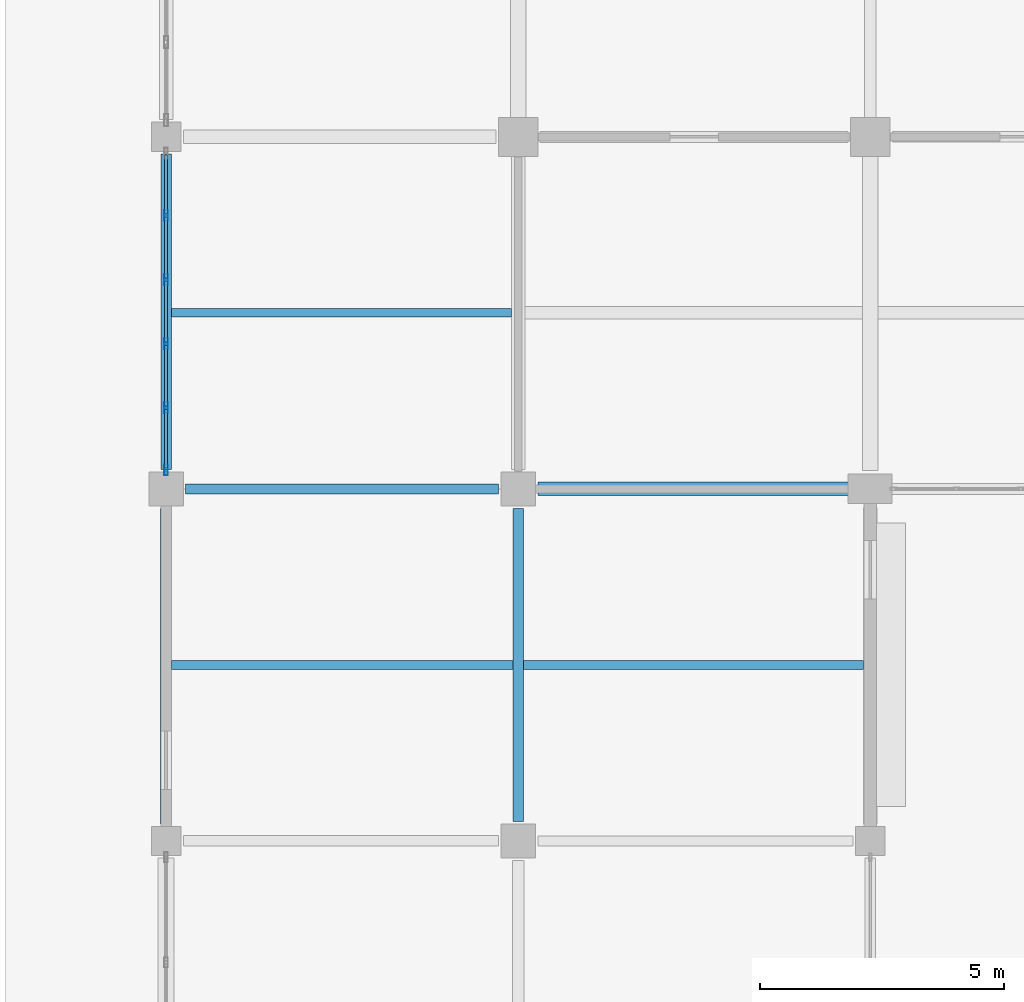
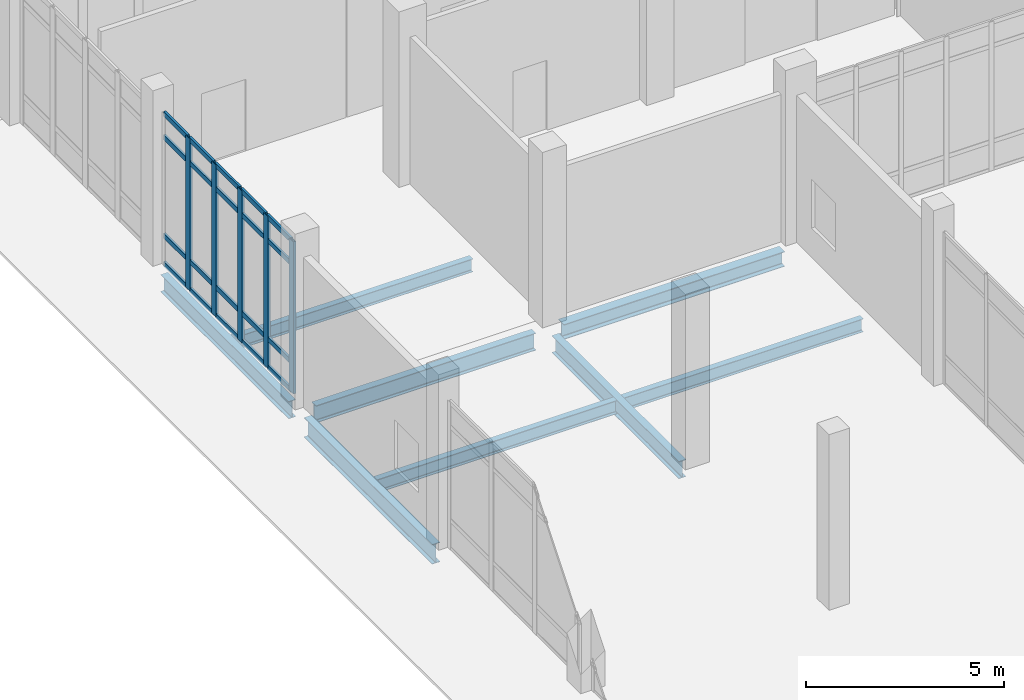
# One storey, part 82 of 229: 25 members, 8 beams, 1 element without a shape of its own.
"""IFC4 building model written with IfcOpenShell, lengths in metres."""

from ifc_helpers import new_model, si_unit, direction, frame, origin, origin_2d, place, context, subcontext, project, spatial, hollow_rectangle, i_section, extrude, material, layer, layer_set, material_profile, profile_set, type_object, element, aggregate, save


model = new_model("IFC4")

# Units and contexts
model_context = context("Model", 3, precision=1e-05, world=origin(), true_north=direction((0.0, 1.0)))
body_context = subcontext(model_context, "Body", "Model", "MODEL_VIEW")
ifc_project = project(units=[si_unit("LENGTHUNIT", "METRE"), si_unit("AREAUNIT", "SQUARE_METRE"), si_unit("VOLUMEUNIT", "CUBIC_METRE"), si_unit("PLANEANGLEUNIT", "RADIAN"), si_unit("MASSUNIT", "GRAM", prefix="KILO")], contexts=[model_context])

# Site, building, storey
site_placement = place(None, origin())
site = spatial("IfcSite", under=ifc_project, at=site_placement, CompositionType="ELEMENT")
building_placement = place(site_placement, origin())
building = spatial("IfcBuilding", under=site, at=building_placement, Name="Calvrana Isthmian Art Gallery", CompositionType="ELEMENT")
storey_placement = place(building_placement, origin())
storey = spatial("IfcBuildingStorey", under=building, at=storey_placement, Name="L00", CompositionType="ELEMENT", Elevation=0.0)

# Beams
ifc_material_1 = material(Name="Steel ASTM A992 Gr 50", Category="steel")
ifc_material_profile_1 = material_profile(ifc_material_1, i_section(OverallWidth=0.279052734375, OverallDepth=0.4619140625, WebThickness=0.0107421875, FlangeThickness=0.017333984375, FilletRadius=0.02001953125, at=origin_2d()), Name="W18X76")
ifc_profile_set_1 = profile_set([ifc_material_profile_1], Name="Steel ASTM A992 Gr 50")
beam_type_1 = type_object("IfcBeamType", Name="BM-G-W18X76", PredefinedType="BEAM", material=ifc_profile_set_1)
beam_1_placement = place(storey_placement, frame((7.60009765625, 98.39990234375, -0.51611328125), z_axis=(1.0, 0.0, 0.0), x_axis=(0.0, 1.0, 0.0)))
element("IfcBeam", 1, at=beam_1_placement, inside=storey, type_object=beam_type_1, Name="Girder X L00 02-03/N", PredefinedType="BEAM", context=body_context, shape_type="SweptSolid", body=[
    extrude(i_section(OverallWidth=0.279052734375, OverallDepth=0.4619140625, WebThickness=0.0107421875, FlangeThickness=0.017333984375, FilletRadius=0.02001953125, at=origin_2d()), origin(), (0.0, 0.0, 1.0), 6.4248046875),
])
ifc_material_profile_2 = material_profile(ifc_material_1, i_section(OverallWidth=0.208984375, OverallDepth=0.532958984375, WebThickness=0.01025390625, FlangeThickness=0.015625, FilletRadius=0.02099609375, at=origin_2d()), Name="W21X62")
ifc_profile_set_2 = profile_set([ifc_material_profile_2], Name="Steel ASTM A992 Gr 50")
beam_type_2 = type_object("IfcBeamType", Name="BM-G-W21X62", PredefinedType="BEAM", material=ifc_profile_set_2)
beam_2_placement = place(storey_placement, frame((0.39990234375, 98.39990234375, -0.551513671875), z_axis=(1.0, 0.0, 0.0), x_axis=(0.0, 1.0, 0.0)))
element("IfcBeam", 2, at=beam_2_placement, inside=storey, type_object=beam_type_2, Name="Girder X L00 01-02/N", PredefinedType="BEAM", context=body_context, shape_type="SweptSolid", body=[
    extrude(i_section(OverallWidth=0.208984375, OverallDepth=0.532958984375, WebThickness=0.01025390625, FlangeThickness=0.015625, FilletRadius=0.02099609375, at=origin_2d()), origin(), (0.0, 0.0, 1.0), 6.400146484375),
])
beam_3_placement = place(storey_placement, frame((0.0, 98.800048828125, -0.551513671875), z_axis=(0.0, 1.0, 0.0), x_axis=(-1.0, 0.0, 0.0)))
element("IfcBeam", 3, at=beam_3_placement, inside=storey, type_object=beam_type_2, Name="Girder Y L00 01/N-O", PredefinedType="BEAM", context=body_context, shape_type="SweptSolid", body=[
    extrude(i_section(OverallWidth=0.208984375, OverallDepth=0.532958984375, WebThickness=0.01025390625, FlangeThickness=0.015625, FilletRadius=0.02099609375, at=origin_2d()), origin(), (0.0, 0.0, 1.0), 6.449951171875),
])
beam_4_placement = place(storey_placement, frame((7.199951171875, 91.60009765625, -0.551513671875), z_axis=(0.0, 1.0, 0.0), x_axis=(-1.0, 0.0, 0.0)))
element("IfcBeam", 4, at=beam_4_placement, inside=storey, type_object=beam_type_2, Name="Girder Y L00 02/M-N", PredefinedType="BEAM", context=body_context, shape_type="SweptSolid", body=[
    extrude(i_section(OverallWidth=0.208984375, OverallDepth=0.532958984375, WebThickness=0.01025390625, FlangeThickness=0.015625, FilletRadius=0.02099609375, at=origin_2d()), origin(), (0.0, 0.0, 1.0), 6.39990234375),
])
ifc_material_profile_3 = material_profile(ifc_material_1, i_section(OverallWidth=0.22802734375, OverallDepth=0.60693359375, WebThickness=0.01123046875, FlangeThickness=0.017333984375, FilletRadius=0.02197265625, at=origin_2d()), Name="W24X76")
ifc_profile_set_3 = profile_set([ifc_material_profile_3], Name="Steel ASTM A992 Gr 50")
beam_type_3 = type_object("IfcBeamType", Name="BM-G-W24X76", PredefinedType="BEAM", material=ifc_profile_set_3)
beam_5_placement = place(storey_placement, frame((0.0, 91.550048828125, -0.58837890625), z_axis=(0.0, 1.0, 0.0), x_axis=(-1.0, 0.0, 0.0)))
element("IfcBeam", 5, at=beam_5_placement, inside=storey, type_object=beam_type_3, Name="Girder Y L00 01/M-N", PredefinedType="BEAM", context=body_context, shape_type="SweptSolid", body=[
    extrude(i_section(OverallWidth=0.22802734375, OverallDepth=0.60693359375, WebThickness=0.01123046875, FlangeThickness=0.017333984375, FilletRadius=0.02197265625, at=origin_2d()), origin(), (0.0, 0.0, 1.0), 6.449951171875),
])
ifc_material_profile_4 = material_profile(ifc_material_1, i_section(OverallWidth=0.177978515625, OverallDepth=0.404052734375, WebThickness=0.007568359375, FlangeThickness=0.010986328125, FilletRadius=0.01806640625, at=origin_2d()), Name="W16X36")
ifc_profile_set_4 = profile_set([ifc_material_profile_4], Name="Steel ASTM A992 Gr 50")
beam_type_4 = type_object("IfcBeamType", Name="BM-J-W16X36", PredefinedType="JOIST", material=ifc_profile_set_4)
for number, where, z_axis, x_axis, name in (
    (6, (0.1044921875, 102.0, -0.487060546875), (1.0, 0.0, 0.0), (0.0, 1.0, 0.0), "Composite joist L00 bay 00-13"),
    (7, (7.304443359375, 94.800048828125, -0.487060546875), (1.0, 0.0, 0.0), (0.0, 1.0, 0.0), "Composite joist L00 bay 01-12"),
):
    element("IfcBeam", number, at=place(storey_placement, frame(where, z_axis=z_axis, x_axis=x_axis)), inside=storey, type_object=beam_type_4, Name=name, PredefinedType="JOIST", context=body_context, shape_type="SweptSolid", body=[
        extrude(i_section(OverallWidth=0.177978515625, OverallDepth=0.404052734375, WebThickness=0.007568359375, FlangeThickness=0.010986328125, FilletRadius=0.01806640625, at=origin_2d()), origin(), (0.0, 0.0, 1.0), 6.9560546875),
    ])
ifc_material_profile_5 = material_profile(ifc_material_1, i_section(OverallWidth=0.179931640625, OverallDepth=0.4140625, WebThickness=0.009765625, FlangeThickness=0.01611328125, FilletRadius=0.01806640625, at=origin_2d()), Name="W16X50")
ifc_profile_set_5 = profile_set([ifc_material_profile_5], Name="Steel ASTM A992 Gr 50")
beam_type_5 = type_object("IfcBeamType", Name="BM-J-W16X50", PredefinedType="JOIST", material=ifc_profile_set_5)
beam_6_placement = place(storey_placement, frame((0.114013671875, 94.800048828125, -0.491943359375), z_axis=(1.0, 0.0, 0.0), x_axis=(0.0, 1.0, 0.0)))
element("IfcBeam", 8, at=beam_6_placement, inside=storey, type_object=beam_type_5, Name="Composite joist L00 bay 00-12", PredefinedType="JOIST", context=body_context, shape_type="SweptSolid", body=[
    extrude(i_section(OverallWidth=0.179931640625, OverallDepth=0.4140625, WebThickness=0.009765625, FlangeThickness=0.01611328125, FilletRadius=0.01806640625, at=origin_2d()), origin(), (0.0, 0.0, 1.0), 6.9814453125),
])

# Curtain wall, members
ifc_material_2 = material(Name="Anodized bronze aluminium 6063-T6", Category="aluminium")
ifc_layer = layer(ifc_material_2, 0.179931640625, Name="Anodized bronze aluminium 6063-T6")
ifc_layer_set = layer_set([ifc_layer], Name="Anodized bronze aluminium 6063-T6")
curtain_wall_type = type_object("IfcCurtainWallType", Name="CW-UNIT-065X47", PredefinedType="USERDEFINED", material=ifc_layer_set)
curtain_wall_placement = place(storey_placement, origin())
curtain_wall = element("IfcCurtainWall", 9, at=curtain_wall_placement, inside=storey, type_object=curtain_wall_type, Name="Curtain wall CW-052", ObjectType="UNITISED CURTAIN WALL", PredefinedType="USERDEFINED")
ifc_material_profile_6 = material_profile(ifc_material_2, hollow_rectangle(XDim=0.074951171875, YDim=0.219970703125, WallThickness=0.0048828125, at=origin_2d()), Name="CWM75X220")
ifc_profile_set_6 = profile_set([ifc_material_profile_6], Name="Anodized bronze aluminium 6063-T6")
member_type_1 = type_object("IfcMemberType", Name="CWM-CWM75X220", PredefinedType="MULLION", material=ifc_profile_set_6)
member_1_placement = place(storey_placement, frame((0.0, 98.78759765625, 0.0), z_axis=(0.0, 0.0, 1.0), x_axis=(-1.0, 0.0, 0.0)))
member_1 = element("IfcMember", 10, at=member_1_placement, type_object=member_type_1, Name="CW-052 mullion 1", PredefinedType="MULLION", context=body_context, shape_type="SweptSolid", body=[
    extrude(hollow_rectangle(XDim=0.074951171875, YDim=0.219970703125, WallThickness=0.0048828125, at=origin_2d()), origin(), (0.0, 0.0, 1.0), 4.677978515625),
])
member_2_placement = place(storey_placement, frame((0.0, 100.06005859375, 0.0), z_axis=(0.0, 0.0, 1.0), x_axis=(-1.0, 0.0, 0.0)))
member_2 = element("IfcMember", 11, at=member_2_placement, type_object=member_type_1, Name="CW-052 mullion 2", PredefinedType="MULLION", context=body_context, shape_type="SweptSolid", body=[
    extrude(hollow_rectangle(XDim=0.074951171875, YDim=0.219970703125, WallThickness=0.0048828125, at=origin_2d()), origin(), (0.0, 0.0, 1.0), 4.677978515625),
])
member_3_placement = place(storey_placement, frame((0.0, 101.3701171875, 0.0), z_axis=(0.0, 0.0, 1.0), x_axis=(-1.0, 0.0, 0.0)))
member_3 = element("IfcMember", 12, at=member_3_placement, type_object=member_type_1, Name="CW-052 mullion 3", PredefinedType="MULLION", context=body_context, shape_type="SweptSolid", body=[
    extrude(hollow_rectangle(XDim=0.074951171875, YDim=0.219970703125, WallThickness=0.0048828125, at=origin_2d()), origin(), (0.0, 0.0, 1.0), 4.677978515625),
])
member_4_placement = place(storey_placement, frame((0.0, 102.679931640625, 0.0), z_axis=(0.0, 0.0, 1.0), x_axis=(-1.0, 0.0, 0.0)))
member_4 = element("IfcMember", 13, at=member_4_placement, type_object=member_type_1, Name="CW-052 mullion 4", PredefinedType="MULLION", context=body_context, shape_type="SweptSolid", body=[
    extrude(hollow_rectangle(XDim=0.074951171875, YDim=0.219970703125, WallThickness=0.0048828125, at=origin_2d()), origin(), (0.0, 0.0, 1.0), 4.677978515625),
])
member_5_placement = place(storey_placement, frame((0.0, 103.989990234375, 0.0), z_axis=(0.0, 0.0, 1.0), x_axis=(-1.0, 0.0, 0.0)))
member_5 = element("IfcMember", 14, at=member_5_placement, type_object=member_type_1, Name="CW-052 mullion 5", PredefinedType="MULLION", context=body_context, shape_type="SweptSolid", body=[
    extrude(hollow_rectangle(XDim=0.074951171875, YDim=0.219970703125, WallThickness=0.0048828125, at=origin_2d()), origin(), (0.0, 0.0, 1.0), 4.677978515625),
])
ifc_material_profile_7 = material_profile(ifc_material_2, hollow_rectangle(XDim=0.06494140625, YDim=0.14990234375, WallThickness=0.00390625, at=origin_2d()), Name="CWT65X150")
ifc_profile_set_7 = profile_set([ifc_material_profile_7], Name="Anodized bronze aluminium 6063-T6")
member_type_2 = type_object("IfcMemberType", Name="CWT-CWT65X150", PredefinedType="USERDEFINED", material=ifc_profile_set_7)
member_6_placement = place(storey_placement, frame((0.0, 98.824951171875, 0.032470703125), z_axis=(0.0, 1.0, 0.0), x_axis=(-1.0, 0.0, 0.0)))
member_6 = element("IfcMember", 15, at=member_6_placement, type_object=member_type_2, Name="CW-052 transom 1.1", ObjectType="TRANSOM", PredefinedType="USERDEFINED", context=body_context, shape_type="SweptSolid", body=[
    extrude(hollow_rectangle(XDim=0.06494140625, YDim=0.14990234375, WallThickness=0.00390625, at=origin_2d()), origin(), (0.0, 0.0, 1.0), 1.197509765625),
])
member_7_placement = place(storey_placement, frame((0.0, 98.824951171875, 0.89990234375), z_axis=(0.0, 1.0, 0.0), x_axis=(-1.0, 0.0, 0.0)))
member_7 = element("IfcMember", 16, at=member_7_placement, type_object=member_type_2, Name="CW-052 transom 1.2", ObjectType="TRANSOM", PredefinedType="USERDEFINED", context=body_context, shape_type="SweptSolid", body=[
    extrude(hollow_rectangle(XDim=0.06494140625, YDim=0.14990234375, WallThickness=0.00390625, at=origin_2d()), origin(), (0.0, 0.0, 1.0), 1.197509765625),
])
member_8_placement = place(storey_placement, frame((0.0, 98.824951171875, 3.927978515625), z_axis=(0.0, 1.0, 0.0), x_axis=(-1.0, 0.0, 0.0)))
member_8 = element("IfcMember", 17, at=member_8_placement, type_object=member_type_2, Name="CW-052 transom 1.3", ObjectType="TRANSOM", PredefinedType="USERDEFINED", context=body_context, shape_type="SweptSolid", body=[
    extrude(hollow_rectangle(XDim=0.06494140625, YDim=0.14990234375, WallThickness=0.00390625, at=origin_2d()), origin(), (0.0, 0.0, 1.0), 1.197509765625),
])
member_9_placement = place(storey_placement, frame((0.0, 98.824951171875, 4.6455078125), z_axis=(0.0, 1.0, 0.0), x_axis=(-1.0, 0.0, 0.0)))
member_9 = element("IfcMember", 18, at=member_9_placement, type_object=member_type_2, Name="CW-052 transom 1.4", ObjectType="TRANSOM", PredefinedType="USERDEFINED", context=body_context, shape_type="SweptSolid", body=[
    extrude(hollow_rectangle(XDim=0.06494140625, YDim=0.14990234375, WallThickness=0.00390625, at=origin_2d()), origin(), (0.0, 0.0, 1.0), 1.197509765625),
])
member_10_placement = place(storey_placement, frame((0.0, 100.097412109375, 0.032470703125), z_axis=(0.0, 1.0, 0.0), x_axis=(-1.0, 0.0, 0.0)))
member_10 = element("IfcMember", 19, at=member_10_placement, type_object=member_type_2, Name="CW-052 transom 2.1", ObjectType="TRANSOM", PredefinedType="USERDEFINED", context=body_context, shape_type="SweptSolid", body=[
    extrude(hollow_rectangle(XDim=0.06494140625, YDim=0.14990234375, WallThickness=0.00390625, at=origin_2d()), origin(), (0.0, 0.0, 1.0), 1.235107421875),
])
member_11_placement = place(storey_placement, frame((0.0, 100.097412109375, 0.89990234375), z_axis=(0.0, 1.0, 0.0), x_axis=(-1.0, 0.0, 0.0)))
member_11 = element("IfcMember", 20, at=member_11_placement, type_object=member_type_2, Name="CW-052 transom 2.2", ObjectType="TRANSOM", PredefinedType="USERDEFINED", context=body_context, shape_type="SweptSolid", body=[
    extrude(hollow_rectangle(XDim=0.06494140625, YDim=0.14990234375, WallThickness=0.00390625, at=origin_2d()), origin(), (0.0, 0.0, 1.0), 1.235107421875),
])
member_12_placement = place(storey_placement, frame((0.0, 100.097412109375, 3.927978515625), z_axis=(0.0, 1.0, 0.0), x_axis=(-1.0, 0.0, 0.0)))
member_12 = element("IfcMember", 21, at=member_12_placement, type_object=member_type_2, Name="CW-052 transom 2.3", ObjectType="TRANSOM", PredefinedType="USERDEFINED", context=body_context, shape_type="SweptSolid", body=[
    extrude(hollow_rectangle(XDim=0.06494140625, YDim=0.14990234375, WallThickness=0.00390625, at=origin_2d()), origin(), (0.0, 0.0, 1.0), 1.235107421875),
])
member_13_placement = place(storey_placement, frame((0.0, 100.097412109375, 4.6455078125), z_axis=(0.0, 1.0, 0.0), x_axis=(-1.0, 0.0, 0.0)))
member_13 = element("IfcMember", 22, at=member_13_placement, type_object=member_type_2, Name="CW-052 transom 2.4", ObjectType="TRANSOM", PredefinedType="USERDEFINED", context=body_context, shape_type="SweptSolid", body=[
    extrude(hollow_rectangle(XDim=0.06494140625, YDim=0.14990234375, WallThickness=0.00390625, at=origin_2d()), origin(), (0.0, 0.0, 1.0), 1.235107421875),
])
member_14_placement = place(storey_placement, frame((0.0, 101.407470703125, 0.032470703125), z_axis=(0.0, 1.0, 0.0), x_axis=(-1.0, 0.0, 0.0)))
member_14 = element("IfcMember", 23, at=member_14_placement, type_object=member_type_2, Name="CW-052 transom 3.1", ObjectType="TRANSOM", PredefinedType="USERDEFINED", context=body_context, shape_type="SweptSolid", body=[
    extrude(hollow_rectangle(XDim=0.06494140625, YDim=0.14990234375, WallThickness=0.00390625, at=origin_2d()), origin(), (0.0, 0.0, 1.0), 1.235107421875),
])
member_15_placement = place(storey_placement, frame((0.0, 101.407470703125, 0.89990234375), z_axis=(0.0, 1.0, 0.0), x_axis=(-1.0, 0.0, 0.0)))
member_15 = element("IfcMember", 24, at=member_15_placement, type_object=member_type_2, Name="CW-052 transom 3.2", ObjectType="TRANSOM", PredefinedType="USERDEFINED", context=body_context, shape_type="SweptSolid", body=[
    extrude(hollow_rectangle(XDim=0.06494140625, YDim=0.14990234375, WallThickness=0.00390625, at=origin_2d()), origin(), (0.0, 0.0, 1.0), 1.235107421875),
])
member_16_placement = place(storey_placement, frame((0.0, 101.407470703125, 3.927978515625), z_axis=(0.0, 1.0, 0.0), x_axis=(-1.0, 0.0, 0.0)))
member_16 = element("IfcMember", 25, at=member_16_placement, type_object=member_type_2, Name="CW-052 transom 3.3", ObjectType="TRANSOM", PredefinedType="USERDEFINED", context=body_context, shape_type="SweptSolid", body=[
    extrude(hollow_rectangle(XDim=0.06494140625, YDim=0.14990234375, WallThickness=0.00390625, at=origin_2d()), origin(), (0.0, 0.0, 1.0), 1.235107421875),
])
member_17_placement = place(storey_placement, frame((0.0, 101.407470703125, 4.6455078125), z_axis=(0.0, 1.0, 0.0), x_axis=(-1.0, 0.0, 0.0)))
member_17 = element("IfcMember", 26, at=member_17_placement, type_object=member_type_2, Name="CW-052 transom 3.4", ObjectType="TRANSOM", PredefinedType="USERDEFINED", context=body_context, shape_type="SweptSolid", body=[
    extrude(hollow_rectangle(XDim=0.06494140625, YDim=0.14990234375, WallThickness=0.00390625, at=origin_2d()), origin(), (0.0, 0.0, 1.0), 1.235107421875),
])
member_18_placement = place(storey_placement, frame((0.0, 102.717529296875, 0.032470703125), z_axis=(0.0, 1.0, 0.0), x_axis=(-1.0, 0.0, 0.0)))
member_18 = element("IfcMember", 27, at=member_18_placement, type_object=member_type_2, Name="CW-052 transom 4.1", ObjectType="TRANSOM", PredefinedType="USERDEFINED", context=body_context, shape_type="SweptSolid", body=[
    extrude(hollow_rectangle(XDim=0.06494140625, YDim=0.14990234375, WallThickness=0.00390625, at=origin_2d()), origin(), (0.0, 0.0, 1.0), 1.23486328125),
])
member_19_placement = place(storey_placement, frame((0.0, 102.717529296875, 0.89990234375), z_axis=(0.0, 1.0, 0.0), x_axis=(-1.0, 0.0, 0.0)))
member_19 = element("IfcMember", 28, at=member_19_placement, type_object=member_type_2, Name="CW-052 transom 4.2", ObjectType="TRANSOM", PredefinedType="USERDEFINED", context=body_context, shape_type="SweptSolid", body=[
    extrude(hollow_rectangle(XDim=0.06494140625, YDim=0.14990234375, WallThickness=0.00390625, at=origin_2d()), origin(), (0.0, 0.0, 1.0), 1.23486328125),
])
member_20_placement = place(storey_placement, frame((0.0, 102.717529296875, 3.927978515625), z_axis=(0.0, 1.0, 0.0), x_axis=(-1.0, 0.0, 0.0)))
member_20 = element("IfcMember", 29, at=member_20_placement, type_object=member_type_2, Name="CW-052 transom 4.3", ObjectType="TRANSOM", PredefinedType="USERDEFINED", context=body_context, shape_type="SweptSolid", body=[
    extrude(hollow_rectangle(XDim=0.06494140625, YDim=0.14990234375, WallThickness=0.00390625, at=origin_2d()), origin(), (0.0, 0.0, 1.0), 1.23486328125),
])
member_21_placement = place(storey_placement, frame((0.0, 102.717529296875, 4.6455078125), z_axis=(0.0, 1.0, 0.0), x_axis=(-1.0, 0.0, 0.0)))
member_21 = element("IfcMember", 30, at=member_21_placement, type_object=member_type_2, Name="CW-052 transom 4.4", ObjectType="TRANSOM", PredefinedType="USERDEFINED", context=body_context, shape_type="SweptSolid", body=[
    extrude(hollow_rectangle(XDim=0.06494140625, YDim=0.14990234375, WallThickness=0.00390625, at=origin_2d()), origin(), (0.0, 0.0, 1.0), 1.23486328125),
])
member_22_placement = place(storey_placement, frame((0.0, 104.027587890625, 0.032470703125), z_axis=(0.0, 1.0, 0.0), x_axis=(-1.0, 0.0, 0.0)))
member_22 = element("IfcMember", 31, at=member_22_placement, type_object=member_type_2, Name="CW-052 transom 5.1", ObjectType="TRANSOM", PredefinedType="USERDEFINED", context=body_context, shape_type="SweptSolid", body=[
    extrude(hollow_rectangle(XDim=0.06494140625, YDim=0.14990234375, WallThickness=0.00390625, at=origin_2d()), origin(), (0.0, 0.0, 1.0), 1.197509765625),
])
member_23_placement = place(storey_placement, frame((0.0, 104.027587890625, 0.89990234375), z_axis=(0.0, 1.0, 0.0), x_axis=(-1.0, 0.0, 0.0)))
member_23 = element("IfcMember", 32, at=member_23_placement, type_object=member_type_2, Name="CW-052 transom 5.2", ObjectType="TRANSOM", PredefinedType="USERDEFINED", context=body_context, shape_type="SweptSolid", body=[
    extrude(hollow_rectangle(XDim=0.06494140625, YDim=0.14990234375, WallThickness=0.00390625, at=origin_2d()), origin(), (0.0, 0.0, 1.0), 1.197509765625),
])
member_24_placement = place(storey_placement, frame((0.0, 104.027587890625, 3.927978515625), z_axis=(0.0, 1.0, 0.0), x_axis=(-1.0, 0.0, 0.0)))
member_24 = element("IfcMember", 33, at=member_24_placement, type_object=member_type_2, Name="CW-052 transom 5.3", ObjectType="TRANSOM", PredefinedType="USERDEFINED", context=body_context, shape_type="SweptSolid", body=[
    extrude(hollow_rectangle(XDim=0.06494140625, YDim=0.14990234375, WallThickness=0.00390625, at=origin_2d()), origin(), (0.0, 0.0, 1.0), 1.197509765625),
])
member_25_placement = place(storey_placement, frame((0.0, 104.027587890625, 4.6455078125), z_axis=(0.0, 1.0, 0.0), x_axis=(-1.0, 0.0, 0.0)))
member_25 = element("IfcMember", 34, at=member_25_placement, type_object=member_type_2, Name="CW-052 transom 5.4", ObjectType="TRANSOM", PredefinedType="USERDEFINED", context=body_context, shape_type="SweptSolid", body=[
    extrude(hollow_rectangle(XDim=0.06494140625, YDim=0.14990234375, WallThickness=0.00390625, at=origin_2d()), origin(), (0.0, 0.0, 1.0), 1.197509765625),
])
aggregate(curtain_wall, [member_1, member_2, member_3, member_4, member_5, member_6, member_7, member_8, member_9, member_10, member_11, member_12, member_13, member_14, member_15, member_16, member_17, member_18, member_19, member_20, member_21, member_22, member_23, member_24, member_25])

save(model, "model.ifc")
